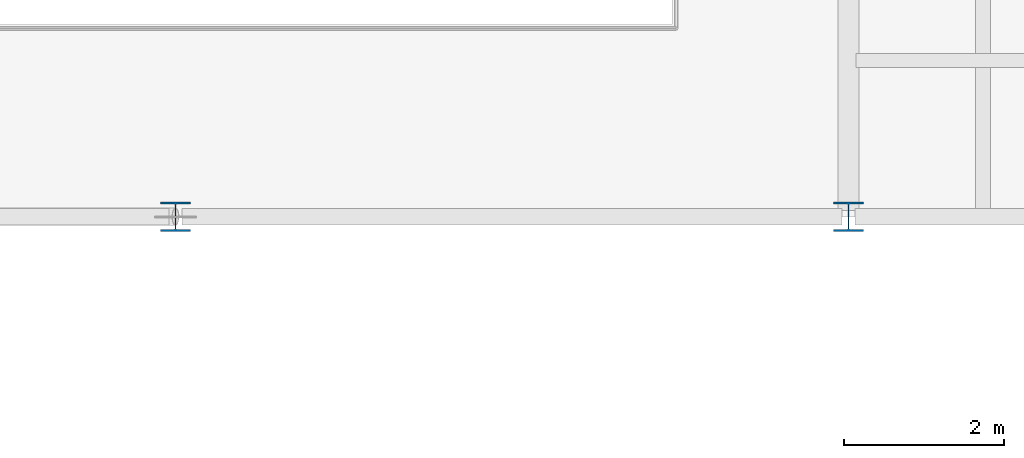
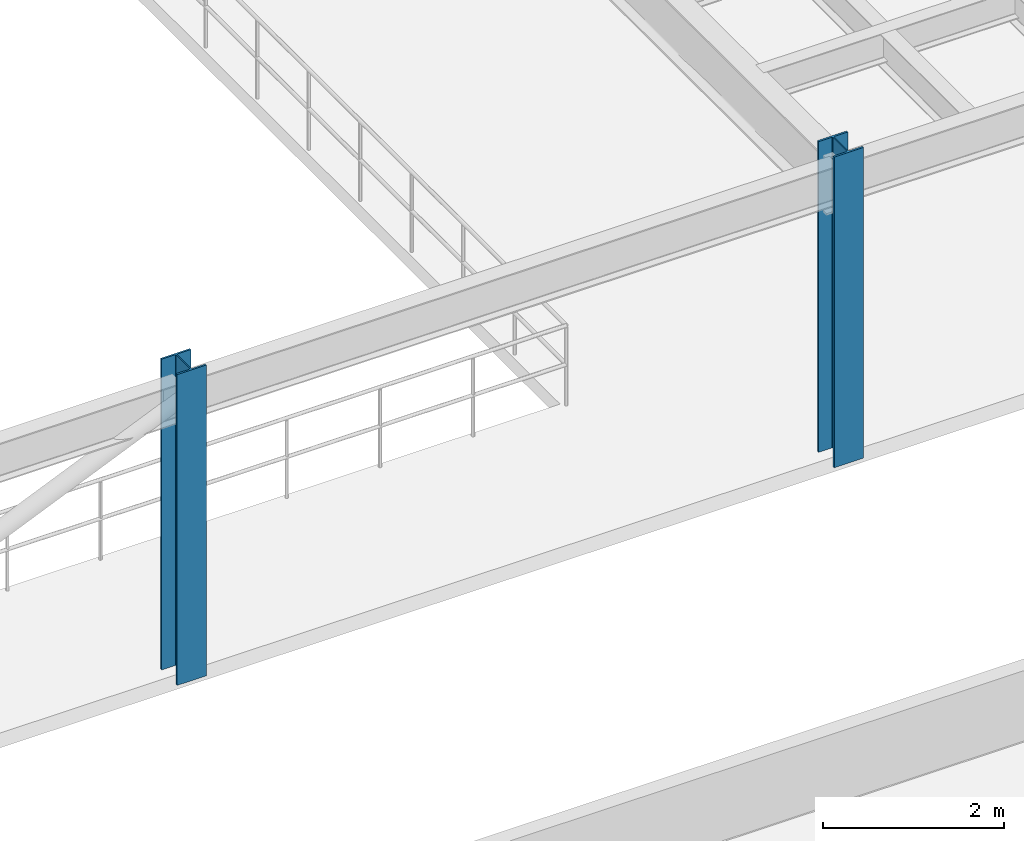
# One storey, part 2 of 54: 2 columns.
"""IFC4 building model written with IfcOpenShell, lengths in metres."""

from ifc_helpers import new_model, si_unit, direction, frame, origin, origin_2d, place, context, subcontext, project, spatial, i_section, extrude, material, material_profile, profile_set, type_object, element, save


model = new_model("IFC4")

# Units and contexts
model_context = context("Model", 3, precision=1e-05, world=origin(), true_north=direction((0.0, 1.0)))
body_context = subcontext(model_context, "Body", "Model", "MODEL_VIEW")
ifc_project = project(units=[si_unit("LENGTHUNIT", "METRE"), si_unit("AREAUNIT", "SQUARE_METRE"), si_unit("VOLUMEUNIT", "CUBIC_METRE"), si_unit("PLANEANGLEUNIT", "RADIAN"), si_unit("MASSUNIT", "GRAM", prefix="KILO")], contexts=[model_context])

# Site, building, storey
site_placement = place(None, origin())
site = spatial("IfcSite", under=ifc_project, at=site_placement, CompositionType="ELEMENT")
building_placement = place(site_placement, origin())
building = spatial("IfcBuilding", under=site, at=building_placement, Name="Selat Folded Stagehouse", CompositionType="ELEMENT")
storey_placement = place(building_placement, frame((0.0, 0.0, 15.0)))
storey = spatial("IfcBuildingStorey", under=building, at=storey_placement, Name="L03", CompositionType="ELEMENT", Elevation=15.0)

# Columns
ifc_material = material(Name="Steel S355", Category="steel")
ifc_material_profile = material_profile(ifc_material, i_section(OverallWidth=0.37255859375, OverallDepth=0.3681640625, WebThickness=0.014404296875, FlangeThickness=0.023681640625, FilletRadius=0.01513671875, at=origin_2d()), Name="UKC 356x368x177")
ifc_profile_set = profile_set([ifc_material_profile], Name="Steel S355")
column_type = type_object("IfcColumnType", Name="COL-UKC-356x368x177", PredefinedType="COLUMN", material=ifc_profile_set)
for number, where, z_axis, x_axis, name in (
    (1, (50.39990234375, 23.39990234375, 0.0), (0.0, 0.0, 1.0), (1.0, 0.0, 0.0), "L03 column STK-V2-15"),
    (2, (58.800048828125, 23.39990234375, 0.0), (0.0, 0.0, 1.0), (1.0, 0.0, 0.0), "L03 column STK-V2-18"),
):
    element("IfcColumn", number, at=place(storey_placement, frame(where, z_axis=z_axis, x_axis=x_axis)), inside=storey, type_object=column_type, Name=name, PredefinedType="COLUMN", context=body_context, shape_type="SweptSolid", body=[
        extrude(i_section(OverallWidth=0.37255859375, OverallDepth=0.3681640625, WebThickness=0.014404296875, FlangeThickness=0.023681640625, FilletRadius=0.01513671875, at=origin_2d()), origin(), (0.0, 0.0, 1.0), 4.199951171875),
    ])

save(model, "model.ifc")
